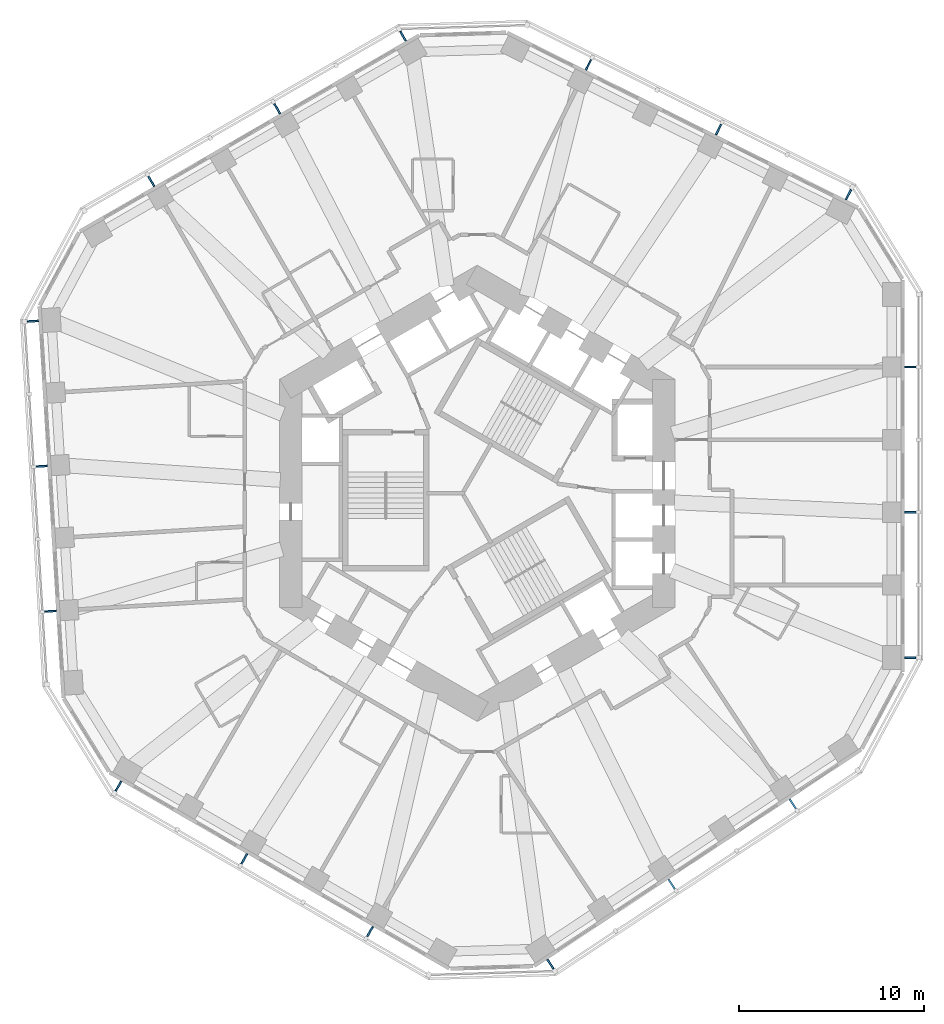
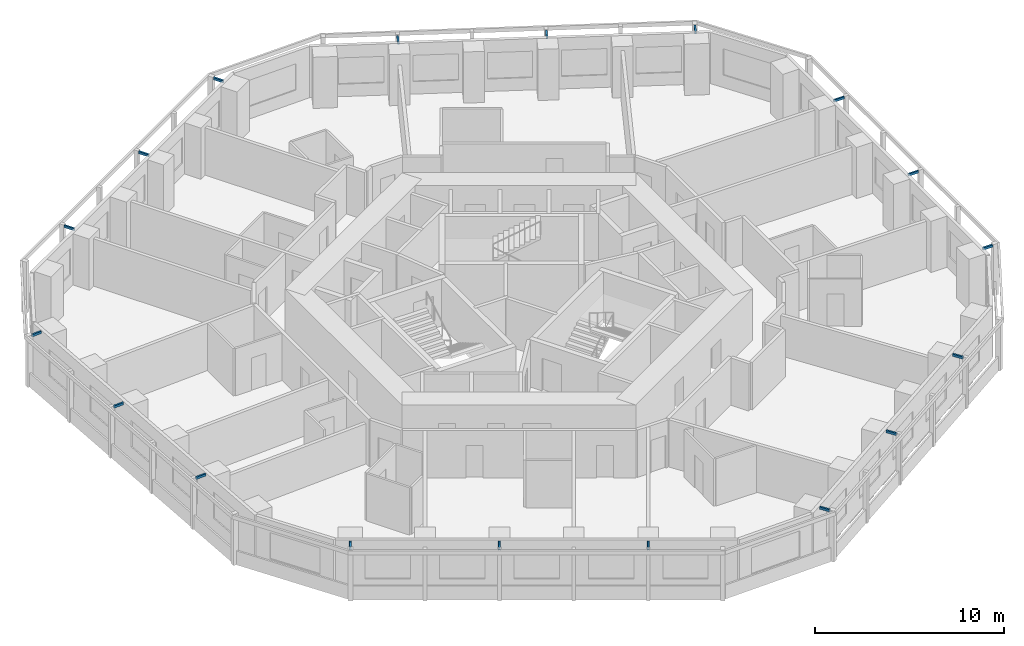
# One storey, part 11 of 12: 18 discrete accessories.
"""IFC4 building model written with IfcOpenShell, lengths in metres."""

from ifc_helpers import new_model, si_unit, direction, frame, origin, origin_2d, place, context, subcontext, project, spatial, rectangle, extrude, material, type_object, element, save


model = new_model("IFC4")

# Units and contexts
model_context = context("Model", 3, precision=1e-05, world=origin(), true_north=direction((0.0, 1.0)))
body_context = subcontext(model_context, "Body", "Model", "MODEL_VIEW")
ifc_project = project(units=[si_unit("LENGTHUNIT", "METRE"), si_unit("AREAUNIT", "SQUARE_METRE"), si_unit("VOLUMEUNIT", "CUBIC_METRE"), si_unit("PLANEANGLEUNIT", "RADIAN"), si_unit("MASSUNIT", "GRAM", prefix="KILO")], contexts=[model_context])

# Site, building, storey
site_placement = place(None, origin())
site = spatial("IfcSite", under=ifc_project, at=site_placement, CompositionType="ELEMENT")
building_placement = place(site_placement, origin())
building = spatial("IfcBuilding", under=site, at=building_placement, Name="Vanh Sen Convention Tower", CompositionType="ELEMENT")
storey_placement = place(building_placement, frame((0.0, 0.0, 103.39990234375)))
storey = spatial("IfcBuildingStorey", under=building, at=storey_placement, Name="L24", CompositionType="ELEMENT", Elevation=103.39990234375)

# Discrete accessories
ifc_material = material(Name="Steel S355", Category="steel")
discrete_accessory_type = type_object("IfcDiscreteAccessoryType", Name="Fin bracket 100 x 150", PredefinedType="BRACKET", material=ifc_material)
discrete_accessory_1_placement = place(storey_placement, frame((23.449951171875, -8.899169921875, 3.10009765625), z_axis=(0.0, 0.0, 1.0), x_axis=(1.0, 0.0, 0.0)))
element("IfcDiscreteAccessory", 1, at=discrete_accessory_1_placement, inside=storey, type_object=discrete_accessory_type, Name="Fin bracket E-1 L24", PredefinedType="BRACKET", context=body_context, shape_type="SweptSolid", body=[
    extrude(rectangle(XDim=0.60009765625, YDim=0.10009765625, at=origin_2d()), origin(), (0.0, 0.0, 1.0), 0.14990234375),
])
for number, where, z_axis, x_axis, name in (
    (2, (23.46240234375, -1.030029296875, 3.10009765625), (0.0, 0.0, 1.0), (1.0, 0.0, 0.0), "Fin bracket E-3 L24"),
    (3, (23.46240234375, 6.839111328125, 3.10009765625), (0.0, 0.0, 1.0), (1.0, 0.0, 0.0), "Fin bracket E-5 L24"),
):
    element("IfcDiscreteAccessory", number, at=place(storey_placement, frame(where, z_axis=z_axis, x_axis=x_axis)), inside=storey, type_object=discrete_accessory_type, Name=name, PredefinedType="BRACKET", context=body_context, shape_type="SweptSolid", body=[
        extrude(rectangle(XDim=0.625, YDim=0.10009765625, at=origin_2d()), origin(), (0.0, 0.0, 1.0), 0.14990234375),
    ])
discrete_accessory_2_placement = place(storey_placement, frame((20.10498046875, 16.178955078125, 3.10009765625), z_axis=(0.0, 0.0, 1.0), x_axis=(0.44619781311, 0.894934361602, 0.0)))
element("IfcDiscreteAccessory", 4, at=discrete_accessory_2_placement, inside=storey, type_object=discrete_accessory_type, Name="Fin bracket NE-1 L24", PredefinedType="BRACKET", context=body_context, shape_type="SweptSolid", body=[
    extrude(rectangle(XDim=0.60009765625, YDim=0.10009765625, at=origin_2d()), origin(), (0.0, 0.0, 1.0), 0.14990234375),
])
for number, where, z_axis, x_axis, name in (
    (5, (13.068359375, 19.701416015625, 3.10009765625), (0.0, 0.0, 1.0), (0.44619781311, 0.894934361602, 0.0), "Fin bracket NE-3 L24"),
    (6, (6.02587890625, 23.212646484375, 3.10009765625), (0.0, 0.0, 1.0), (0.44619781311, 0.894934361602, 0.0), "Fin bracket NE-5 L24"),
):
    element("IfcDiscreteAccessory", number, at=place(storey_placement, frame(where, z_axis=z_axis, x_axis=x_axis)), inside=storey, type_object=discrete_accessory_type, Name=name, PredefinedType="BRACKET", context=body_context, shape_type="SweptSolid", body=[
        extrude(rectangle(XDim=0.625, YDim=0.10009765625, at=origin_2d()), origin(), (0.0, 0.0, 1.0), 0.14990234375),
    ])
discrete_accessory_3_placement = place(storey_placement, frame((-4.01806640625, 24.7578125, 3.10009765625), z_axis=(0.0, 0.0, 1.0), x_axis=(-0.5, 0.866025403784, 0.0)))
element("IfcDiscreteAccessory", 7, at=discrete_accessory_3_placement, inside=storey, type_object=discrete_accessory_type, Name="Fin bracket NW-1 L24", PredefinedType="BRACKET", context=body_context, shape_type="SweptSolid", body=[
    extrude(rectangle(XDim=0.60009765625, YDim=0.10009765625, at=origin_2d()), origin(), (0.0, 0.0, 1.0), 0.14990234375),
])
for number, where, z_axis, x_axis, name in (
    (8, (-10.839111328125, 20.834228515625, 3.10009765625), (0.0, 0.0, 1.0), (-0.5, 0.866025403784, 0.0), "Fin bracket NW-3 L24"),
    (9, (-17.654296875, 16.899658203125, 3.10009765625), (0.0, 0.0, 1.0), (-0.5, 0.866025403784, 0.0), "Fin bracket NW-5 L24"),
):
    element("IfcDiscreteAccessory", number, at=place(storey_placement, frame(where, z_axis=z_axis, x_axis=x_axis)), inside=storey, type_object=discrete_accessory_type, Name=name, PredefinedType="BRACKET", context=body_context, shape_type="SweptSolid", body=[
        extrude(rectangle(XDim=0.625, YDim=0.10009765625, at=origin_2d()), origin(), (0.0, 0.0, 1.0), 0.14990234375),
    ])
discrete_accessory_4_placement = place(storey_placement, frame((-24.06396484375, 9.322021484375, 3.10009765625), z_axis=(0.0, 0.0, 1.0), x_axis=(-0.998134798422, -0.061048539535, 0.0)))
element("IfcDiscreteAccessory", 10, at=discrete_accessory_4_placement, inside=storey, type_object=discrete_accessory_type, Name="Fin bracket W-1 L24", PredefinedType="BRACKET", context=body_context, shape_type="SweptSolid", body=[
    extrude(rectangle(XDim=0.60009765625, YDim=0.10009765625, at=origin_2d()), origin(), (0.0, 0.0, 1.0), 0.14990234375),
])
for number, where, z_axis, x_axis, name in (
    (11, (-23.595947265625, 1.466796875, 3.10009765625), (0.0, 0.0, 1.0), (-0.998134798422, -0.061048539535, 0.0), "Fin bracket W-3 L24"),
    (12, (-23.115478515625, -6.3876953125, 3.10009765625), (0.0, 0.0, 1.0), (-0.998134798422, -0.061048539535, 0.0), "Fin bracket W-5 L24"),
):
    element("IfcDiscreteAccessory", number, at=place(storey_placement, frame(where, z_axis=z_axis, x_axis=x_axis)), inside=storey, type_object=discrete_accessory_type, Name=name, PredefinedType="BRACKET", context=body_context, shape_type="SweptSolid", body=[
        extrude(rectangle(XDim=0.625, YDim=0.10009765625, at=origin_2d()), origin(), (0.0, 0.0, 1.0), 0.14990234375),
    ])
discrete_accessory_5_placement = place(storey_placement, frame((-19.431884765625, -15.858642578125, 3.10009765625), z_axis=(0.0, 0.0, 1.0), x_axis=(-0.5, -0.866025403784, 0.0)))
element("IfcDiscreteAccessory", 13, at=discrete_accessory_5_placement, inside=storey, type_object=discrete_accessory_type, Name="Fin bracket SW-1 L24", PredefinedType="BRACKET", context=body_context, shape_type="SweptSolid", body=[
    extrude(rectangle(XDim=0.60009765625, YDim=0.10009765625, at=origin_2d()), origin(), (0.0, 0.0, 1.0), 0.14990234375),
])
for number, where, z_axis, x_axis, name in (
    (14, (-12.623291015625, -19.80419921875, 3.10009765625), (0.0, 0.0, 1.0), (-0.5, -0.866025403784, 0.0), "Fin bracket SW-3 L24"),
    (15, (-5.808349609375, -23.73876953125, 3.10009765625), (0.0, 0.0, 1.0), (-0.5, -0.866025403784, 0.0), "Fin bracket SW-5 L24"),
):
    element("IfcDiscreteAccessory", number, at=place(storey_placement, frame(where, z_axis=z_axis, x_axis=x_axis)), inside=storey, type_object=discrete_accessory_type, Name=name, PredefinedType="BRACKET", context=body_context, shape_type="SweptSolid", body=[
        extrude(rectangle(XDim=0.625, YDim=0.10009765625, at=origin_2d()), origin(), (0.0, 0.0, 1.0), 0.14990234375),
    ])
discrete_accessory_6_placement = place(storey_placement, frame((3.958740234375, -25.5009765625, 3.10009765625), z_axis=(0.0, 0.0, 1.0), x_axis=(0.551936985312, -0.833885822067, 0.0)))
element("IfcDiscreteAccessory", 16, at=discrete_accessory_6_placement, inside=storey, type_object=discrete_accessory_type, Name="Fin bracket SE-1 L24", PredefinedType="BRACKET", context=body_context, shape_type="SweptSolid", body=[
    extrude(rectangle(XDim=0.60009765625, YDim=0.10009765625, at=origin_2d()), origin(), (0.0, 0.0, 1.0), 0.14990234375),
])
for number, where, z_axis, x_axis, name in (
    (17, (10.527587890625, -21.168212890625, 3.10009765625), (0.0, 0.0, 1.0), (0.551936985312, -0.833885822067, 0.0), "Fin bracket SE-3 L24"),
    (18, (17.089599609375, -16.824951171875, 3.10009765625), (0.0, 0.0, 1.0), (0.551936985312, -0.833885822067, 0.0), "Fin bracket SE-5 L24"),
):
    element("IfcDiscreteAccessory", number, at=place(storey_placement, frame(where, z_axis=z_axis, x_axis=x_axis)), inside=storey, type_object=discrete_accessory_type, Name=name, PredefinedType="BRACKET", context=body_context, shape_type="SweptSolid", body=[
        extrude(rectangle(XDim=0.625, YDim=0.10009765625, at=origin_2d()), origin(), (0.0, 0.0, 1.0), 0.14990234375),
    ])

save(model, "model.ifc")
